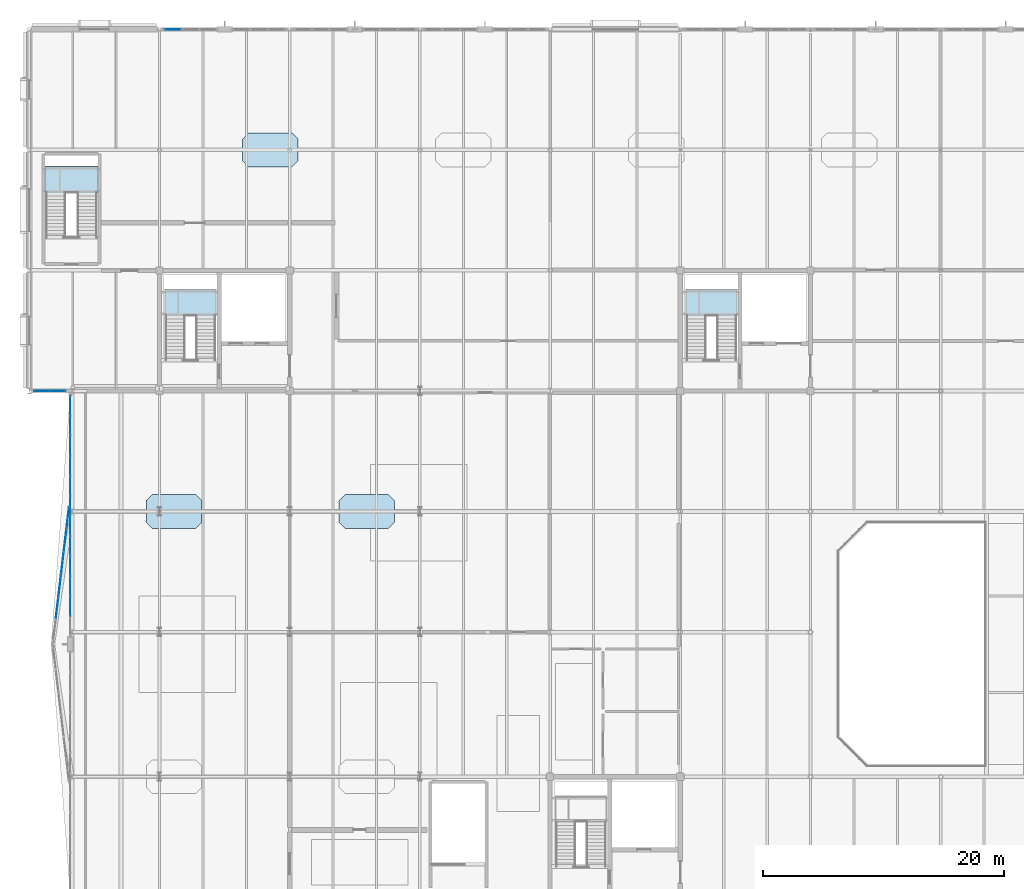
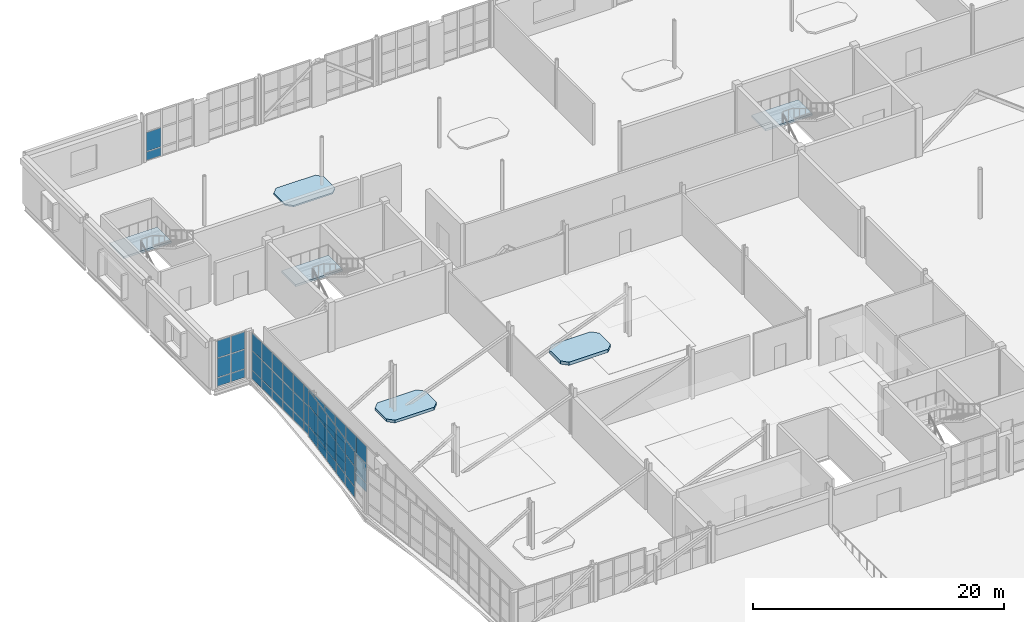
# One storey, part 67 of 100: 56 plates, 6 slabs, 7 elements without a shape of their own.
"""IFC4 building model written with IfcOpenShell, lengths in metres."""

from ifc_helpers import new_model, si_unit, direction, frame, origin, origin_2d, place, context, subcontext, project, spatial, polyline, rectangle, outline, extrude, material, layer, layer_set, type_object, element, aggregate, save


model = new_model("IFC4")

# Units and contexts
model_context = context("Model", 3, precision=1e-05, world=origin(), true_north=direction((0.0, 1.0)))
body_context = subcontext(model_context, "Body", "Model", "MODEL_VIEW")
ifc_project = project(units=[si_unit("LENGTHUNIT", "METRE"), si_unit("AREAUNIT", "SQUARE_METRE"), si_unit("VOLUMEUNIT", "CUBIC_METRE"), si_unit("PLANEANGLEUNIT", "RADIAN"), si_unit("MASSUNIT", "GRAM", prefix="KILO")], contexts=[model_context])

# Site, building, storey
site_placement = place(None, origin())
site = spatial("IfcSite", under=ifc_project, at=site_placement, CompositionType="ELEMENT")
building_placement = place(site_placement, origin())
building = spatial("IfcBuilding", under=site, at=building_placement, Name="Tasgan Crest Museum", CompositionType="ELEMENT")
storey_placement = place(building_placement, frame((0.0, 0.0, 9.60009765625)))
storey = spatial("IfcBuildingStorey", under=building, at=storey_placement, Name="L02", CompositionType="ELEMENT", Elevation=9.60009765625)

# Curtain wall, plate
ifc_material_1 = material(Name="Triple-Glazed Aluminium Curtain Wall", Category="aluminium")
ifc_layer_1 = layer(ifc_material_1, 0.179931640625, Name="CW-CORE-STRIP-48")
ifc_layer_set_1 = layer_set([ifc_layer_1], Name="Triple-Glazed Aluminium Curtain Wall")
curtain_wall_type_1 = type_object("IfcCurtainWallType", Name="CW-CORE-STRIP-48", PredefinedType="NOTDEFINED", material=ifc_layer_set_1)
curtain_wall_1_placement = place(storey_placement, origin())
curtain_wall_1 = element("IfcCurtainWall", 1, at=curtain_wall_1_placement, inside=storey, type_object=curtain_wall_type_1, Name="Curtain wall L02 092", PredefinedType="NOTDEFINED")
ifc_material_2 = material(Name="Insulated Spandrel Glass", Category="glass")
ifc_layer_2 = layer(ifc_material_2, 0.052001953125, Name="CW-PANEL-SPANDREL")
ifc_layer_set_2 = layer_set([ifc_layer_2], Name="Insulated Spandrel Glass")
plate_type_1 = type_object("IfcPlateType", Name="CW-PANEL-SPANDREL", PredefinedType="CURTAIN_PANEL", material=ifc_layer_set_2)
plate_1_placement = place(storey_placement, frame((11.91162109375, 112.0, 0.059814453125), z_axis=(0.0, 0.0, 1.0), x_axis=(-1.0, 0.0, 0.0)))
plate_1 = element("IfcPlate", 2, at=plate_1_placement, type_object=plate_type_1, Name="CW19 panel 3.1", PredefinedType="CURTAIN_PANEL", context=body_context, shape_type="SweptSolid", body=[
    extrude(rectangle(XDim=1.373291015625, YDim=0.028076171875, at=origin_2d()), origin(), (0.0, 0.0, 1.0), 0.81005859375),
])

# Curtain wall, plates
ifc_material_3 = material(Name="Triple-Glazed Aluminium Curtain Wall", Category="aluminium")
ifc_layer_3 = layer(ifc_material_3, 0.179931640625, Name="CW-CANT-SIDE-48")
ifc_layer_set_3 = layer_set([ifc_layer_3], Name="Triple-Glazed Aluminium Curtain Wall")
curtain_wall_type_2 = type_object("IfcCurtainWallType", Name="CW-CANT-SIDE-48", PredefinedType="NOTDEFINED", material=ifc_layer_set_3)
curtain_wall_2_placement = place(storey_placement, origin())
curtain_wall_2 = element("IfcCurtainWall", 3, at=curtain_wall_2_placement, inside=storey, type_object=curtain_wall_type_2, Name="Curtain wall L02 093", PredefinedType="NOTDEFINED")
plate_2_placement = place(storey_placement, frame((1.047607421875, 82.0, 0.059814453125), z_axis=(0.0, 0.0, 1.0), x_axis=(1.0, 0.0, 0.0)))
plate_2 = element("IfcPlate", 4, at=plate_2_placement, type_object=plate_type_1, Name="CW11 panel 1.1", PredefinedType="CURTAIN_PANEL", context=body_context, shape_type="SweptSolid", body=[
    extrude(rectangle(XDim=1.2451171875, YDim=0.028076171875, at=origin_2d()), origin(), (0.0, 0.0, 1.0), 0.81005859375),
])
plate_3_placement = place(storey_placement, frame((2.3525390625, 82.0, 0.059814453125), z_axis=(0.0, 0.0, 1.0), x_axis=(1.0, 0.0, 0.0)))
plate_3 = element("IfcPlate", 5, at=plate_3_placement, type_object=plate_type_1, Name="CW11 panel 2.1", PredefinedType="CURTAIN_PANEL", context=body_context, shape_type="SweptSolid", body=[
    extrude(rectangle(XDim=1.2451171875, YDim=0.028076171875, at=origin_2d()), origin(), (0.0, 0.0, 1.0), 0.81005859375),
])

ifc_material_4 = material(Name="Triple-Glazed Aluminium Curtain Wall", Category="aluminium")
ifc_layer_4 = layer(ifc_material_4, 0.179931640625, Name="CW-CANT-TIP-48")
ifc_layer_set_4 = layer_set([ifc_layer_4], Name="Triple-Glazed Aluminium Curtain Wall")
curtain_wall_type_3 = type_object("IfcCurtainWallType", Name="CW-CANT-TIP-48", PredefinedType="NOTDEFINED", material=ifc_layer_set_4)
curtain_wall_3_placement = place(storey_placement, origin())
curtain_wall_3 = element("IfcCurtainWall", 6, at=curtain_wall_3_placement, inside=storey, type_object=curtain_wall_type_3, Name="Curtain wall L02 094", PredefinedType="NOTDEFINED")
plate_4_placement = place(storey_placement, frame((3.39990234375, 80.787109375, 0.059814453125), z_axis=(0.0, 0.0, 1.0), x_axis=(0.0, -1.0, 0.0)))
plate_4 = element("IfcPlate", 7, at=plate_4_placement, type_object=plate_type_1, Name="CW09 panel 1.1", PredefinedType="CURTAIN_PANEL", context=body_context, shape_type="SweptSolid", body=[
    extrude(rectangle(XDim=1.575927734375, YDim=0.028076171875, at=origin_2d()), origin(), (0.0, 0.0, 1.0), 0.81005859375),
])
plate_5_placement = place(storey_placement, frame((3.39990234375, 79.13623046875, 0.059814453125), z_axis=(0.0, 0.0, 1.0), x_axis=(0.0, -1.0, 0.0)))
plate_5 = element("IfcPlate", 8, at=plate_5_placement, type_object=plate_type_1, Name="CW09 panel 2.1", PredefinedType="CURTAIN_PANEL", context=body_context, shape_type="SweptSolid", body=[
    extrude(rectangle(XDim=1.605712890625, YDim=0.028076171875, at=origin_2d()), origin(), (0.0, 0.0, 1.0), 0.81005859375),
])
plate_6_placement = place(storey_placement, frame((3.39990234375, 77.470458984375, 0.059814453125), z_axis=(0.0, 0.0, 1.0), x_axis=(0.0, -1.0, 0.0)))
plate_6 = element("IfcPlate", 9, at=plate_6_placement, type_object=plate_type_1, Name="CW09 panel 3.1", PredefinedType="CURTAIN_PANEL", context=body_context, shape_type="SweptSolid", body=[
    extrude(rectangle(XDim=1.605712890625, YDim=0.028076171875, at=origin_2d()), origin(), (0.0, 0.0, 1.0), 0.81005859375),
])
plate_7_placement = place(storey_placement, frame((3.39990234375, 75.8046875, 0.059814453125), z_axis=(0.0, 0.0, 1.0), x_axis=(0.0, -1.0, 0.0)))
plate_7 = element("IfcPlate", 10, at=plate_7_placement, type_object=plate_type_1, Name="CW09 panel 4.1", PredefinedType="CURTAIN_PANEL", context=body_context, shape_type="SweptSolid", body=[
    extrude(rectangle(XDim=1.605712890625, YDim=0.028076171875, at=origin_2d()), origin(), (0.0, 0.0, 1.0), 0.81005859375),
])
plate_8_placement = place(storey_placement, frame((3.39990234375, 74.138671875, 0.059814453125), z_axis=(0.0, 0.0, 1.0), x_axis=(0.0, -1.0, 0.0)))
plate_8 = element("IfcPlate", 11, at=plate_8_placement, type_object=plate_type_1, Name="CW09 panel 5.1", PredefinedType="CURTAIN_PANEL", context=body_context, shape_type="SweptSolid", body=[
    extrude(rectangle(XDim=1.605712890625, YDim=0.028076171875, at=origin_2d()), origin(), (0.0, 0.0, 1.0), 0.81005859375),
])
plate_9_placement = place(storey_placement, frame((3.39990234375, 72.472900390625, 0.059814453125), z_axis=(0.0, 0.0, 1.0), x_axis=(0.0, -1.0, 0.0)))
plate_9 = element("IfcPlate", 12, at=plate_9_placement, type_object=plate_type_1, Name="CW09 panel 6.1", PredefinedType="CURTAIN_PANEL", context=body_context, shape_type="SweptSolid", body=[
    extrude(rectangle(XDim=1.605712890625, YDim=0.028076171875, at=origin_2d()), origin(), (0.0, 0.0, 1.0), 0.81005859375),
])
plate_10_placement = place(storey_placement, frame((3.39990234375, 70.80712890625, 0.059814453125), z_axis=(0.0, 0.0, 1.0), x_axis=(0.0, -1.0, 0.0)))
plate_10 = element("IfcPlate", 13, at=plate_10_placement, type_object=plate_type_1, Name="CW09 panel 7.1", PredefinedType="CURTAIN_PANEL", context=body_context, shape_type="SweptSolid", body=[
    extrude(rectangle(XDim=1.605712890625, YDim=0.028076171875, at=origin_2d()), origin(), (0.0, 0.0, 1.0), 0.81005859375),
])
plate_11_placement = place(storey_placement, frame((3.39990234375, 69.141357421875, 0.059814453125), z_axis=(0.0, 0.0, 1.0), x_axis=(0.0, -1.0, 0.0)))
plate_11 = element("IfcPlate", 14, at=plate_11_placement, type_object=plate_type_1, Name="CW09 panel 8.1", PredefinedType="CURTAIN_PANEL", context=body_context, shape_type="SweptSolid", body=[
    extrude(rectangle(XDim=1.605712890625, YDim=0.028076171875, at=origin_2d()), origin(), (0.0, 0.0, 1.0), 0.81005859375),
])
plate_12_placement = place(storey_placement, frame((3.39990234375, 67.475341796875, 0.059814453125), z_axis=(0.0, 0.0, 1.0), x_axis=(0.0, -1.0, 0.0)))
plate_12 = element("IfcPlate", 15, at=plate_12_placement, type_object=plate_type_1, Name="CW09 panel 9.1", PredefinedType="CURTAIN_PANEL", context=body_context, shape_type="SweptSolid", body=[
    extrude(rectangle(XDim=1.605712890625, YDim=0.028076171875, at=origin_2d()), origin(), (0.0, 0.0, 1.0), 0.81005859375),
])
plate_13_placement = place(storey_placement, frame((3.39990234375, 65.8095703125, 0.059814453125), z_axis=(0.0, 0.0, 1.0), x_axis=(0.0, -1.0, 0.0)))
plate_13 = element("IfcPlate", 16, at=plate_13_placement, type_object=plate_type_1, Name="CW09 panel 10.1", PredefinedType="CURTAIN_PANEL", context=body_context, shape_type="SweptSolid", body=[
    extrude(rectangle(XDim=1.605712890625, YDim=0.028076171875, at=origin_2d()), origin(), (0.0, 0.0, 1.0), 0.81005859375),
])
plate_14_placement = place(storey_placement, frame((3.39990234375, 64.143798828125, 0.059814453125), z_axis=(0.0, 0.0, 1.0), x_axis=(0.0, -1.0, 0.0)))
plate_14 = element("IfcPlate", 17, at=plate_14_placement, type_object=plate_type_1, Name="CW09 panel 11.1", PredefinedType="CURTAIN_PANEL", context=body_context, shape_type="SweptSolid", body=[
    extrude(rectangle(XDim=1.605712890625, YDim=0.028076171875, at=origin_2d()), origin(), (0.0, 0.0, 1.0), 0.81005859375),
])

# Plate
ifc_material_5 = material(Name="Low-E Triple Glazing", Category="glass")
ifc_layer_5 = layer(ifc_material_5, 0.0439453125, Name="CW-PANEL-TRIPLE")
ifc_layer_set_5 = layer_set([ifc_layer_5], Name="Low-E Triple Glazing")
plate_type_2 = type_object("IfcPlateType", Name="CW-PANEL-TRIPLE", PredefinedType="CURTAIN_PANEL", material=ifc_layer_set_5)
plate_15_placement = place(storey_placement, frame((11.91162109375, 112.0, 0.9296875), z_axis=(0.0, 0.0, 1.0), x_axis=(-1.0, 0.0, 0.0)))
plate_15 = element("IfcPlate", 18, at=plate_15_placement, type_object=plate_type_2, Name="CW19 panel 3.2", PredefinedType="CURTAIN_PANEL", context=body_context, shape_type="SweptSolid", body=[
    extrude(rectangle(XDim=1.373291015625, YDim=0.028076171875, at=origin_2d()), origin(), (0.0, 0.0, 1.0), 1.840087890625),
])

aggregate(curtain_wall_1, [plate_1, plate_15])

plate_16_placement = place(storey_placement, frame((1.047607421875, 82.0, 0.9296875), z_axis=(0.0, 0.0, 1.0), x_axis=(1.0, 0.0, 0.0)))
plate_16 = element("IfcPlate", 19, at=plate_16_placement, type_object=plate_type_2, Name="CW11 panel 1.2", PredefinedType="CURTAIN_PANEL", context=body_context, shape_type="SweptSolid", body=[
    extrude(rectangle(XDim=1.2451171875, YDim=0.028076171875, at=origin_2d()), origin(), (0.0, 0.0, 1.0), 1.840087890625),
])

plate_17_placement = place(storey_placement, frame((1.047607421875, 82.0, 2.829833984375), z_axis=(0.0, 0.0, 1.0), x_axis=(1.0, 0.0, 0.0)))
plate_17 = element("IfcPlate", 20, at=plate_17_placement, type_object=plate_type_2, Name="CW11 panel 1.3", PredefinedType="CURTAIN_PANEL", context=body_context, shape_type="SweptSolid", body=[
    extrude(rectangle(XDim=1.2451171875, YDim=0.028076171875, at=origin_2d()), origin(), (0.0, 0.0, 1.0), 1.669921875),
])

plate_18_placement = place(storey_placement, frame((2.3525390625, 82.0, 0.9296875), z_axis=(0.0, 0.0, 1.0), x_axis=(1.0, 0.0, 0.0)))
plate_18 = element("IfcPlate", 21, at=plate_18_placement, type_object=plate_type_2, Name="CW11 panel 2.2", PredefinedType="CURTAIN_PANEL", context=body_context, shape_type="SweptSolid", body=[
    extrude(rectangle(XDim=1.2451171875, YDim=0.028076171875, at=origin_2d()), origin(), (0.0, 0.0, 1.0), 1.840087890625),
])

plate_19_placement = place(storey_placement, frame((2.3525390625, 82.0, 2.829833984375), z_axis=(0.0, 0.0, 1.0), x_axis=(1.0, 0.0, 0.0)))
plate_19 = element("IfcPlate", 22, at=plate_19_placement, type_object=plate_type_2, Name="CW11 panel 2.3", PredefinedType="CURTAIN_PANEL", context=body_context, shape_type="SweptSolid", body=[
    extrude(rectangle(XDim=1.2451171875, YDim=0.028076171875, at=origin_2d()), origin(), (0.0, 0.0, 1.0), 1.669921875),
])

aggregate(curtain_wall_2, [plate_2, plate_16, plate_17, plate_3, plate_18, plate_19])

plate_20_placement = place(storey_placement, frame((3.39990234375, 80.787109375, 0.9296875), z_axis=(0.0, 0.0, 1.0), x_axis=(0.0, -1.0, 0.0)))
plate_20 = element("IfcPlate", 23, at=plate_20_placement, type_object=plate_type_2, Name="CW09 panel 1.2", PredefinedType="CURTAIN_PANEL", context=body_context, shape_type="SweptSolid", body=[
    extrude(rectangle(XDim=1.575927734375, YDim=0.028076171875, at=origin_2d()), origin(), (0.0, 0.0, 1.0), 1.840087890625),
])

plate_21_placement = place(storey_placement, frame((3.39990234375, 80.787109375, 2.829833984375), z_axis=(0.0, 0.0, 1.0), x_axis=(0.0, -1.0, 0.0)))
plate_21 = element("IfcPlate", 24, at=plate_21_placement, type_object=plate_type_2, Name="CW09 panel 1.3", PredefinedType="CURTAIN_PANEL", context=body_context, shape_type="SweptSolid", body=[
    extrude(rectangle(XDim=1.575927734375, YDim=0.028076171875, at=origin_2d()), origin(), (0.0, 0.0, 1.0), 1.669921875),
])

plate_22_placement = place(storey_placement, frame((3.39990234375, 79.13623046875, 0.9296875), z_axis=(0.0, 0.0, 1.0), x_axis=(0.0, -1.0, 0.0)))
plate_22 = element("IfcPlate", 25, at=plate_22_placement, type_object=plate_type_2, Name="CW09 panel 2.2", PredefinedType="CURTAIN_PANEL", context=body_context, shape_type="SweptSolid", body=[
    extrude(rectangle(XDim=1.605712890625, YDim=0.028076171875, at=origin_2d()), origin(), (0.0, 0.0, 1.0), 1.840087890625),
])

plate_23_placement = place(storey_placement, frame((3.39990234375, 79.13623046875, 2.829833984375), z_axis=(0.0, 0.0, 1.0), x_axis=(0.0, -1.0, 0.0)))
plate_23 = element("IfcPlate", 26, at=plate_23_placement, type_object=plate_type_2, Name="CW09 panel 2.3", PredefinedType="CURTAIN_PANEL", context=body_context, shape_type="SweptSolid", body=[
    extrude(rectangle(XDim=1.605712890625, YDim=0.028076171875, at=origin_2d()), origin(), (0.0, 0.0, 1.0), 1.669921875),
])

plate_24_placement = place(storey_placement, frame((3.39990234375, 77.470458984375, 0.9296875), z_axis=(0.0, 0.0, 1.0), x_axis=(0.0, -1.0, 0.0)))
plate_24 = element("IfcPlate", 27, at=plate_24_placement, type_object=plate_type_2, Name="CW09 panel 3.2", PredefinedType="CURTAIN_PANEL", context=body_context, shape_type="SweptSolid", body=[
    extrude(rectangle(XDim=1.605712890625, YDim=0.028076171875, at=origin_2d()), origin(), (0.0, 0.0, 1.0), 1.840087890625),
])

plate_25_placement = place(storey_placement, frame((3.39990234375, 77.470458984375, 2.829833984375), z_axis=(0.0, 0.0, 1.0), x_axis=(0.0, -1.0, 0.0)))
plate_25 = element("IfcPlate", 28, at=plate_25_placement, type_object=plate_type_2, Name="CW09 panel 3.3", PredefinedType="CURTAIN_PANEL", context=body_context, shape_type="SweptSolid", body=[
    extrude(rectangle(XDim=1.605712890625, YDim=0.028076171875, at=origin_2d()), origin(), (0.0, 0.0, 1.0), 1.669921875),
])

plate_26_placement = place(storey_placement, frame((3.39990234375, 75.8046875, 0.9296875), z_axis=(0.0, 0.0, 1.0), x_axis=(0.0, -1.0, 0.0)))
plate_26 = element("IfcPlate", 29, at=plate_26_placement, type_object=plate_type_2, Name="CW09 panel 4.2", PredefinedType="CURTAIN_PANEL", context=body_context, shape_type="SweptSolid", body=[
    extrude(rectangle(XDim=1.605712890625, YDim=0.028076171875, at=origin_2d()), origin(), (0.0, 0.0, 1.0), 1.840087890625),
])

plate_27_placement = place(storey_placement, frame((3.39990234375, 75.8046875, 2.829833984375), z_axis=(0.0, 0.0, 1.0), x_axis=(0.0, -1.0, 0.0)))
plate_27 = element("IfcPlate", 30, at=plate_27_placement, type_object=plate_type_2, Name="CW09 panel 4.3", PredefinedType="CURTAIN_PANEL", context=body_context, shape_type="SweptSolid", body=[
    extrude(rectangle(XDim=1.605712890625, YDim=0.028076171875, at=origin_2d()), origin(), (0.0, 0.0, 1.0), 1.669921875),
])

plate_28_placement = place(storey_placement, frame((3.39990234375, 74.138671875, 0.9296875), z_axis=(0.0, 0.0, 1.0), x_axis=(0.0, -1.0, 0.0)))
plate_28 = element("IfcPlate", 31, at=plate_28_placement, type_object=plate_type_2, Name="CW09 panel 5.2", PredefinedType="CURTAIN_PANEL", context=body_context, shape_type="SweptSolid", body=[
    extrude(rectangle(XDim=1.605712890625, YDim=0.028076171875, at=origin_2d()), origin(), (0.0, 0.0, 1.0), 1.840087890625),
])

plate_29_placement = place(storey_placement, frame((3.39990234375, 74.138671875, 2.829833984375), z_axis=(0.0, 0.0, 1.0), x_axis=(0.0, -1.0, 0.0)))
plate_29 = element("IfcPlate", 32, at=plate_29_placement, type_object=plate_type_2, Name="CW09 panel 5.3", PredefinedType="CURTAIN_PANEL", context=body_context, shape_type="SweptSolid", body=[
    extrude(rectangle(XDim=1.605712890625, YDim=0.028076171875, at=origin_2d()), origin(), (0.0, 0.0, 1.0), 1.669921875),
])

plate_30_placement = place(storey_placement, frame((3.39990234375, 72.472900390625, 0.9296875), z_axis=(0.0, 0.0, 1.0), x_axis=(0.0, -1.0, 0.0)))
plate_30 = element("IfcPlate", 33, at=plate_30_placement, type_object=plate_type_2, Name="CW09 panel 6.2", PredefinedType="CURTAIN_PANEL", context=body_context, shape_type="SweptSolid", body=[
    extrude(rectangle(XDim=1.605712890625, YDim=0.028076171875, at=origin_2d()), origin(), (0.0, 0.0, 1.0), 1.840087890625),
])

plate_31_placement = place(storey_placement, frame((3.39990234375, 72.472900390625, 2.829833984375), z_axis=(0.0, 0.0, 1.0), x_axis=(0.0, -1.0, 0.0)))
plate_31 = element("IfcPlate", 34, at=plate_31_placement, type_object=plate_type_2, Name="CW09 panel 6.3", PredefinedType="CURTAIN_PANEL", context=body_context, shape_type="SweptSolid", body=[
    extrude(rectangle(XDim=1.605712890625, YDim=0.028076171875, at=origin_2d()), origin(), (0.0, 0.0, 1.0), 1.669921875),
])

plate_32_placement = place(storey_placement, frame((3.39990234375, 70.80712890625, 0.9296875), z_axis=(0.0, 0.0, 1.0), x_axis=(0.0, -1.0, 0.0)))
plate_32 = element("IfcPlate", 35, at=plate_32_placement, type_object=plate_type_2, Name="CW09 panel 7.2", PredefinedType="CURTAIN_PANEL", context=body_context, shape_type="SweptSolid", body=[
    extrude(rectangle(XDim=1.605712890625, YDim=0.028076171875, at=origin_2d()), origin(), (0.0, 0.0, 1.0), 1.840087890625),
])

plate_33_placement = place(storey_placement, frame((3.39990234375, 70.80712890625, 2.829833984375), z_axis=(0.0, 0.0, 1.0), x_axis=(0.0, -1.0, 0.0)))
plate_33 = element("IfcPlate", 36, at=plate_33_placement, type_object=plate_type_2, Name="CW09 panel 7.3", PredefinedType="CURTAIN_PANEL", context=body_context, shape_type="SweptSolid", body=[
    extrude(rectangle(XDim=1.605712890625, YDim=0.028076171875, at=origin_2d()), origin(), (0.0, 0.0, 1.0), 1.669921875),
])

plate_34_placement = place(storey_placement, frame((3.39990234375, 69.141357421875, 0.9296875), z_axis=(0.0, 0.0, 1.0), x_axis=(0.0, -1.0, 0.0)))
plate_34 = element("IfcPlate", 37, at=plate_34_placement, type_object=plate_type_2, Name="CW09 panel 8.2", PredefinedType="CURTAIN_PANEL", context=body_context, shape_type="SweptSolid", body=[
    extrude(rectangle(XDim=1.605712890625, YDim=0.028076171875, at=origin_2d()), origin(), (0.0, 0.0, 1.0), 1.840087890625),
])

plate_35_placement = place(storey_placement, frame((3.39990234375, 69.141357421875, 2.829833984375), z_axis=(0.0, 0.0, 1.0), x_axis=(0.0, -1.0, 0.0)))
plate_35 = element("IfcPlate", 38, at=plate_35_placement, type_object=plate_type_2, Name="CW09 panel 8.3", PredefinedType="CURTAIN_PANEL", context=body_context, shape_type="SweptSolid", body=[
    extrude(rectangle(XDim=1.605712890625, YDim=0.028076171875, at=origin_2d()), origin(), (0.0, 0.0, 1.0), 1.669921875),
])

plate_36_placement = place(storey_placement, frame((3.39990234375, 67.475341796875, 0.9296875), z_axis=(0.0, 0.0, 1.0), x_axis=(0.0, -1.0, 0.0)))
plate_36 = element("IfcPlate", 39, at=plate_36_placement, type_object=plate_type_2, Name="CW09 panel 9.2", PredefinedType="CURTAIN_PANEL", context=body_context, shape_type="SweptSolid", body=[
    extrude(rectangle(XDim=1.605712890625, YDim=0.028076171875, at=origin_2d()), origin(), (0.0, 0.0, 1.0), 1.840087890625),
])

plate_37_placement = place(storey_placement, frame((3.39990234375, 67.475341796875, 2.829833984375), z_axis=(0.0, 0.0, 1.0), x_axis=(0.0, -1.0, 0.0)))
plate_37 = element("IfcPlate", 40, at=plate_37_placement, type_object=plate_type_2, Name="CW09 panel 9.3", PredefinedType="CURTAIN_PANEL", context=body_context, shape_type="SweptSolid", body=[
    extrude(rectangle(XDim=1.605712890625, YDim=0.028076171875, at=origin_2d()), origin(), (0.0, 0.0, 1.0), 1.669921875),
])

plate_38_placement = place(storey_placement, frame((3.39990234375, 65.8095703125, 0.9296875), z_axis=(0.0, 0.0, 1.0), x_axis=(0.0, -1.0, 0.0)))
plate_38 = element("IfcPlate", 41, at=plate_38_placement, type_object=plate_type_2, Name="CW09 panel 10.2", PredefinedType="CURTAIN_PANEL", context=body_context, shape_type="SweptSolid", body=[
    extrude(rectangle(XDim=1.605712890625, YDim=0.028076171875, at=origin_2d()), origin(), (0.0, 0.0, 1.0), 1.840087890625),
])

plate_39_placement = place(storey_placement, frame((3.39990234375, 65.8095703125, 2.829833984375), z_axis=(0.0, 0.0, 1.0), x_axis=(0.0, -1.0, 0.0)))
plate_39 = element("IfcPlate", 42, at=plate_39_placement, type_object=plate_type_2, Name="CW09 panel 10.3", PredefinedType="CURTAIN_PANEL", context=body_context, shape_type="SweptSolid", body=[
    extrude(rectangle(XDim=1.605712890625, YDim=0.028076171875, at=origin_2d()), origin(), (0.0, 0.0, 1.0), 1.669921875),
])

plate_40_placement = place(storey_placement, frame((3.39990234375, 64.143798828125, 0.9296875), z_axis=(0.0, 0.0, 1.0), x_axis=(0.0, -1.0, 0.0)))
plate_40 = element("IfcPlate", 43, at=plate_40_placement, type_object=plate_type_2, Name="CW09 panel 11.2", PredefinedType="CURTAIN_PANEL", context=body_context, shape_type="SweptSolid", body=[
    extrude(rectangle(XDim=1.605712890625, YDim=0.028076171875, at=origin_2d()), origin(), (0.0, 0.0, 1.0), 1.840087890625),
])

plate_41_placement = place(storey_placement, frame((3.39990234375, 64.143798828125, 2.829833984375), z_axis=(0.0, 0.0, 1.0), x_axis=(0.0, -1.0, 0.0)))
plate_41 = element("IfcPlate", 44, at=plate_41_placement, type_object=plate_type_2, Name="CW09 panel 11.3", PredefinedType="CURTAIN_PANEL", context=body_context, shape_type="SweptSolid", body=[
    extrude(rectangle(XDim=1.605712890625, YDim=0.028076171875, at=origin_2d()), origin(), (0.0, 0.0, 1.0), 1.669921875),
])

aggregate(curtain_wall_3, [plate_4, plate_20, plate_21, plate_5, plate_22, plate_23, plate_6, plate_24, plate_25, plate_7, plate_26, plate_27, plate_8, plate_28, plate_29, plate_9, plate_30, plate_31, plate_10, plate_32, plate_33, plate_11, plate_34, plate_35, plate_12, plate_36, plate_37, plate_13, plate_38, plate_39, plate_14, plate_40, plate_41])

# Curtain wall, plates
curtain_wall_4_placement = place(storey_placement, origin())
curtain_wall_4 = element("IfcCurtainWall", 45, at=curtain_wall_4_placement, inside=storey, type_object=curtain_wall_type_3, Name="Cantilevered prow curtain wall L02 PROW-N", PredefinedType="NOTDEFINED")
plate_42_placement = place(storey_placement, frame((2.31005859375, 64.03759765625, 0.06005859375), z_axis=(0.0, 0.0, 1.0), x_axis=(0.117564672774, 0.993065228329, 0.0)))
plate_42 = element("IfcPlate", 46, at=plate_42_placement, type_object=plate_type_2, Name="CW09 panel 2.1", PredefinedType="CURTAIN_PANEL", context=body_context, shape_type="SweptSolid", body=[
    extrude(rectangle(XDim=1.811279296875, YDim=0.028076171875, at=origin_2d()), origin(), (0.0, 0.0, 1.0), 1.010009765625),
])
plate_43_placement = place(storey_placement, frame((2.31005859375, 64.03759765625, 1.1298828125), z_axis=(0.0, 0.0, 1.0), x_axis=(0.117564672774, 0.993065228329, 0.0)))
plate_43 = element("IfcPlate", 47, at=plate_43_placement, type_object=plate_type_2, Name="CW09 panel 2.2", PredefinedType="CURTAIN_PANEL", context=body_context, shape_type="SweptSolid", body=[
    extrude(rectangle(XDim=1.811279296875, YDim=0.028076171875, at=origin_2d()), origin(), (0.0, 0.0, 1.0), 1.93994140625),
])
plate_44_placement = place(storey_placement, frame((2.31005859375, 64.03759765625, 3.1298828125), z_axis=(0.0, 0.0, 1.0), x_axis=(0.117564672774, 0.993065228329, 0.0)))
plate_44 = element("IfcPlate", 48, at=plate_44_placement, type_object=plate_type_2, Name="CW09 panel 2.3", PredefinedType="CURTAIN_PANEL", context=body_context, shape_type="SweptSolid", body=[
    extrude(rectangle(XDim=1.811279296875, YDim=0.028076171875, at=origin_2d()), origin(), (0.0, 0.0, 1.0), 1.3701171875),
])
plate_45_placement = place(storey_placement, frame((2.530029296875, 65.895751953125, 0.06005859375), z_axis=(0.0, 0.0, 1.0), x_axis=(0.117564672774, 0.993065228329, 0.0)))
plate_45 = element("IfcPlate", 49, at=plate_45_placement, type_object=plate_type_2, Name="CW09 panel 3.1", PredefinedType="CURTAIN_PANEL", context=body_context, shape_type="SweptSolid", body=[
    extrude(rectangle(XDim=1.811279296875, YDim=0.028076171875, at=origin_2d()), origin(), (0.0, 0.0, 1.0), 1.010009765625),
])
plate_46_placement = place(storey_placement, frame((2.530029296875, 65.895751953125, 1.1298828125), z_axis=(0.0, 0.0, 1.0), x_axis=(0.117564672774, 0.993065228329, 0.0)))
plate_46 = element("IfcPlate", 50, at=plate_46_placement, type_object=plate_type_2, Name="CW09 panel 3.2", PredefinedType="CURTAIN_PANEL", context=body_context, shape_type="SweptSolid", body=[
    extrude(rectangle(XDim=1.811279296875, YDim=0.028076171875, at=origin_2d()), origin(), (0.0, 0.0, 1.0), 1.93994140625),
])
plate_47_placement = place(storey_placement, frame((2.530029296875, 65.895751953125, 3.1298828125), z_axis=(0.0, 0.0, 1.0), x_axis=(0.117564672774, 0.993065228329, 0.0)))
plate_47 = element("IfcPlate", 51, at=plate_47_placement, type_object=plate_type_2, Name="CW09 panel 3.3", PredefinedType="CURTAIN_PANEL", context=body_context, shape_type="SweptSolid", body=[
    extrude(rectangle(XDim=1.811279296875, YDim=0.028076171875, at=origin_2d()), origin(), (0.0, 0.0, 1.0), 1.3701171875),
])
plate_48_placement = place(storey_placement, frame((2.75, 67.754150390625, 0.06005859375), z_axis=(0.0, 0.0, 1.0), x_axis=(0.117564672774, 0.993065228329, 0.0)))
plate_48 = element("IfcPlate", 52, at=plate_48_placement, type_object=plate_type_2, Name="CW09 panel 4.1", PredefinedType="CURTAIN_PANEL", context=body_context, shape_type="SweptSolid", body=[
    extrude(rectangle(XDim=1.811279296875, YDim=0.028076171875, at=origin_2d()), origin(), (0.0, 0.0, 1.0), 1.010009765625),
])
plate_49_placement = place(storey_placement, frame((2.75, 67.754150390625, 1.1298828125), z_axis=(0.0, 0.0, 1.0), x_axis=(0.117564672774, 0.993065228329, 0.0)))
plate_49 = element("IfcPlate", 53, at=plate_49_placement, type_object=plate_type_2, Name="CW09 panel 4.2", PredefinedType="CURTAIN_PANEL", context=body_context, shape_type="SweptSolid", body=[
    extrude(rectangle(XDim=1.811279296875, YDim=0.028076171875, at=origin_2d()), origin(), (0.0, 0.0, 1.0), 1.93994140625),
])
plate_50_placement = place(storey_placement, frame((2.75, 67.754150390625, 3.1298828125), z_axis=(0.0, 0.0, 1.0), x_axis=(0.117564672774, 0.993065228329, 0.0)))
plate_50 = element("IfcPlate", 54, at=plate_50_placement, type_object=plate_type_2, Name="CW09 panel 4.3", PredefinedType="CURTAIN_PANEL", context=body_context, shape_type="SweptSolid", body=[
    extrude(rectangle(XDim=1.811279296875, YDim=0.028076171875, at=origin_2d()), origin(), (0.0, 0.0, 1.0), 1.3701171875),
])
plate_51_placement = place(storey_placement, frame((2.969970703125, 69.612548828125, 0.06005859375), z_axis=(0.0, 0.0, 1.0), x_axis=(0.117564672774, 0.993065228329, 0.0)))
plate_51 = element("IfcPlate", 55, at=plate_51_placement, type_object=plate_type_2, Name="CW09 panel 5.1", PredefinedType="CURTAIN_PANEL", context=body_context, shape_type="SweptSolid", body=[
    extrude(rectangle(XDim=1.811279296875, YDim=0.028076171875, at=origin_2d()), origin(), (0.0, 0.0, 1.0), 1.010009765625),
])
plate_52_placement = place(storey_placement, frame((2.969970703125, 69.612548828125, 1.1298828125), z_axis=(0.0, 0.0, 1.0), x_axis=(0.117564672774, 0.993065228329, 0.0)))
plate_52 = element("IfcPlate", 56, at=plate_52_placement, type_object=plate_type_2, Name="CW09 panel 5.2", PredefinedType="CURTAIN_PANEL", context=body_context, shape_type="SweptSolid", body=[
    extrude(rectangle(XDim=1.811279296875, YDim=0.028076171875, at=origin_2d()), origin(), (0.0, 0.0, 1.0), 1.93994140625),
])
plate_53_placement = place(storey_placement, frame((2.969970703125, 69.612548828125, 3.1298828125), z_axis=(0.0, 0.0, 1.0), x_axis=(0.117564672774, 0.993065228329, 0.0)))
plate_53 = element("IfcPlate", 57, at=plate_53_placement, type_object=plate_type_2, Name="CW09 panel 5.3", PredefinedType="CURTAIN_PANEL", context=body_context, shape_type="SweptSolid", body=[
    extrude(rectangle(XDim=1.811279296875, YDim=0.028076171875, at=origin_2d()), origin(), (0.0, 0.0, 1.0), 1.3701171875),
])
plate_54_placement = place(storey_placement, frame((3.188232421875, 71.4560546875, 0.06005859375), z_axis=(0.0, 0.0, 1.0), x_axis=(0.117564672774, 0.993065228329, 0.0)))
plate_54 = element("IfcPlate", 58, at=plate_54_placement, type_object=plate_type_2, Name="CW09 panel 6.1", PredefinedType="CURTAIN_PANEL", context=body_context, shape_type="SweptSolid", body=[
    extrude(rectangle(XDim=1.78125, YDim=0.028076171875, at=origin_2d()), origin(), (0.0, 0.0, 1.0), 1.010009765625),
])
plate_55_placement = place(storey_placement, frame((3.188232421875, 71.4560546875, 1.1298828125), z_axis=(0.0, 0.0, 1.0), x_axis=(0.117564672774, 0.993065228329, 0.0)))
plate_55 = element("IfcPlate", 59, at=plate_55_placement, type_object=plate_type_2, Name="CW09 panel 6.2", PredefinedType="CURTAIN_PANEL", context=body_context, shape_type="SweptSolid", body=[
    extrude(rectangle(XDim=1.78125, YDim=0.028076171875, at=origin_2d()), origin(), (0.0, 0.0, 1.0), 1.93994140625),
])
plate_56_placement = place(storey_placement, frame((3.188232421875, 71.4560546875, 3.1298828125), z_axis=(0.0, 0.0, 1.0), x_axis=(0.117564672774, 0.993065228329, 0.0)))
plate_56 = element("IfcPlate", 60, at=plate_56_placement, type_object=plate_type_2, Name="CW09 panel 6.3", PredefinedType="CURTAIN_PANEL", context=body_context, shape_type="SweptSolid", body=[
    extrude(rectangle(XDim=1.78125, YDim=0.028076171875, at=origin_2d()), origin(), (0.0, 0.0, 1.0), 1.3701171875),
])
aggregate(curtain_wall_4, [plate_42, plate_43, plate_44, plate_45, plate_46, plate_47, plate_48, plate_49, plate_50, plate_51, plate_52, plate_53, plate_54, plate_55, plate_56])

# Slabs
ifc_material_6 = material(Name="Concrete C35/45", Category="concrete")
ifc_layer_6 = layer(ifc_material_6, 0.139892578125, Name="SL-DAIS-T01")
ifc_layer_set_6 = layer_set([ifc_layer_6], Name="Concrete C35/45")
slab_type_1 = type_object("IfcSlabType", Name="SL-DAIS-T01", PredefinedType="FLOOR", material=ifc_layer_set_6)
slab_1_placement = place(storey_placement, origin())
element("IfcSlab", 61, at=slab_1_placement, inside=storey, type_object=slab_type_1, Name="Exhibition specimen dais L02-21", PredefinedType="FLOOR", context=body_context, shape_type="SweptSolid", body=[
    extrude(outline(polyline([(18.199951171875, 100.60009765625), (21.800048828125, 100.60009765625), (22.300048828125, 101.10009765625), (22.300048828125, 102.89990234375), (21.800048828125, 103.39990234375), (18.199951171875, 103.39990234375), (17.699951171875, 102.89990234375), (17.699951171875, 101.10009765625), (18.199951171875, 100.60009765625)])), origin(), (0.0, 0.0, 1.0), 0.139892578125),
])
ifc_material_7 = material(Name="Concrete C35/45", Category="concrete")
ifc_layer_7 = layer(ifc_material_7, 0.27001953125, Name="SL-DAIS-T08")
ifc_layer_set_7 = layer_set([ifc_layer_7], Name="Concrete C35/45")
slab_type_2 = type_object("IfcSlabType", Name="SL-DAIS-T08", PredefinedType="FLOOR", material=ifc_layer_set_7)
slab_2_placement = place(storey_placement, origin())
element("IfcSlab", 62, at=slab_2_placement, inside=storey, type_object=slab_type_2, Name="Exhibition specimen dais L02-18", PredefinedType="FLOOR", context=body_context, shape_type="SweptSolid", body=[
    extrude(outline(polyline([(10.199951171875, 70.60009765625), (13.800048828125, 70.60009765625), (14.300048828125, 71.10009765625), (14.300048828125, 72.89990234375), (13.800048828125, 73.39990234375), (10.199951171875, 73.39990234375), (9.699951171875, 72.89990234375), (9.699951171875, 71.10009765625), (10.199951171875, 70.60009765625)])), origin(), (0.0, 0.0, 1.0), 0.27001953125),
])
ifc_material_8 = material(Name="Concrete C35/45", Category="concrete")
ifc_layer_8 = layer(ifc_material_8, 0.31005859375, Name="SL-DAIS-T10")
ifc_layer_set_8 = layer_set([ifc_layer_8], Name="Concrete C35/45")
slab_type_3 = type_object("IfcSlabType", Name="SL-DAIS-T10", PredefinedType="FLOOR", material=ifc_layer_set_8)
slab_3_placement = place(storey_placement, origin())
element("IfcSlab", 63, at=slab_3_placement, inside=storey, type_object=slab_type_3, Name="Exhibition specimen dais L02-20", PredefinedType="FLOOR", context=body_context, shape_type="SweptSolid", body=[
    extrude(outline(polyline([(26.199951171875, 70.60009765625), (29.800048828125, 70.60009765625), (30.300048828125, 71.10009765625), (30.300048828125, 72.89990234375), (29.800048828125, 73.39990234375), (26.199951171875, 73.39990234375), (25.699951171875, 72.89990234375), (25.699951171875, 71.10009765625), (26.199951171875, 70.60009765625)])), origin(), (0.0, 0.0, 1.0), 0.309814453125),
])

# Stair, slab
ifc_material_9 = material(Name="Concrete C35/45", Category="concrete")
stair_type = type_object("IfcStairType", Name="ST-CORE-48", PredefinedType="HALF_TURN_STAIR", material=ifc_material_9)
stair_1_placement = place(storey_placement, origin())
stair_1 = element("IfcStair", 64, at=stair_1_placement, inside=storey, type_object=stair_type, Name="Stair ST-NW-L02 L02", PredefinedType="HALF_TURN_STAIR")
ifc_material_10 = material(Name="Concrete C35/45", Category="concrete")
ifc_layer_9 = layer(ifc_material_10, 0.199951171875, Name="SL-LAND-200")
ifc_layer_set_9 = layer_set([ifc_layer_9], Name="Concrete C35/45")
slab_type_4 = type_object("IfcSlabType", Name="SL-LAND-200", PredefinedType="LANDING", material=ifc_layer_set_9)
slab_4_placement = place(storey_placement, frame((0.0, 0.0, 2.199951171875)))
slab_4 = element("IfcSlab", 65, at=slab_4_placement, type_object=slab_type_4, Name="ST-NW-L02 landing 1", PredefinedType="LANDING", context=body_context, shape_type="SweptSolid", body=[
    extrude(outline(polyline([(11.219970703125, 88.205078125), (15.530029296875, 88.205078125), (15.530029296875, 90.455078125), (11.219970703125, 90.455078125), (11.219970703125, 88.205078125)])), origin(), (0.0, 0.0, 1.0), 0.199951171875),
])
aggregate(stair_1, [slab_4])

stair_2_placement = place(storey_placement, origin())
stair_2 = element("IfcStair", 66, at=stair_2_placement, inside=storey, type_object=stair_type, Name="Stair ST-NC-L02 L02", PredefinedType="HALF_TURN_STAIR")
slab_5_placement = place(storey_placement, frame((0.0, 0.0, 2.199951171875)))
slab_5 = element("IfcSlab", 67, at=slab_5_placement, type_object=slab_type_4, Name="ST-NC-L02 landing 1", PredefinedType="LANDING", context=body_context, shape_type="SweptSolid", body=[
    extrude(outline(polyline([(54.419921875, 88.205078125), (58.72998046875, 88.205078125), (58.72998046875, 90.455078125), (54.419921875, 90.455078125), (54.419921875, 88.205078125)])), origin(), (0.0, 0.0, 1.0), 0.199951171875),
])
aggregate(stair_2, [slab_5])

stair_3_placement = place(storey_placement, origin())
stair_3 = element("IfcStair", 68, at=stair_3_placement, inside=storey, type_object=stair_type, Name="Stair ST-GW-L02 L02", PredefinedType="HALF_TURN_STAIR")
slab_6_placement = place(storey_placement, frame((0.0, 0.0, 2.199951171875)))
slab_6 = element("IfcSlab", 69, at=slab_6_placement, type_object=slab_type_4, Name="ST-GW-L02 landing 1", PredefinedType="LANDING", context=body_context, shape_type="SweptSolid", body=[
    extrude(outline(polyline([(1.300048828125, 98.405029296875), (5.699951171875, 98.405029296875), (5.699951171875, 100.655029296875), (1.300048828125, 100.655029296875), (1.300048828125, 98.405029296875)])), origin(), (0.0, 0.0, 1.0), 0.199951171875),
])
aggregate(stair_3, [slab_6])

save(model, "model.ifc")
